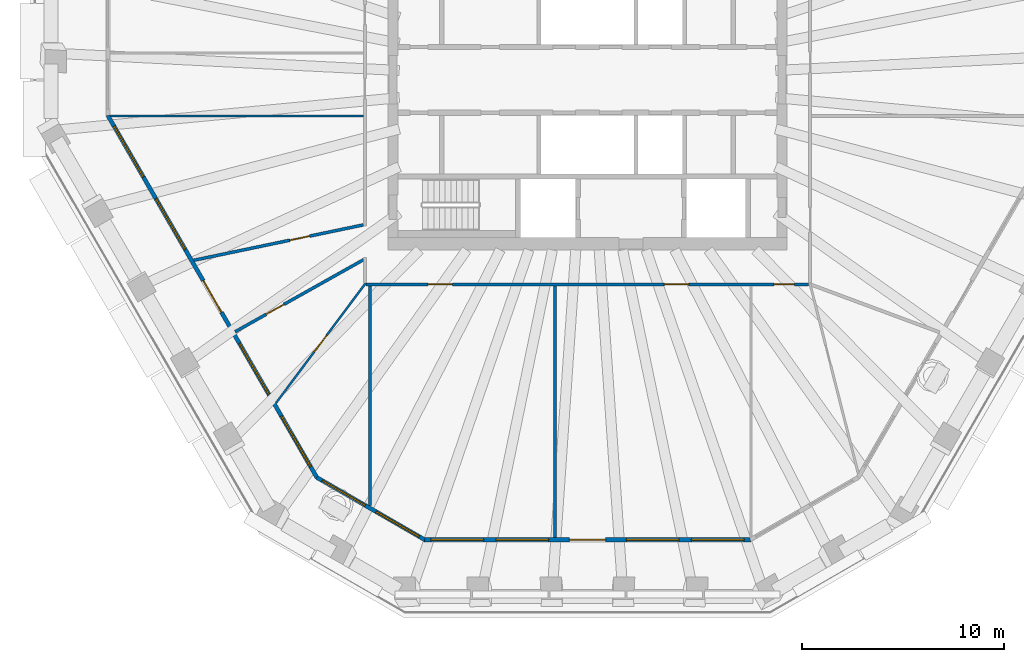
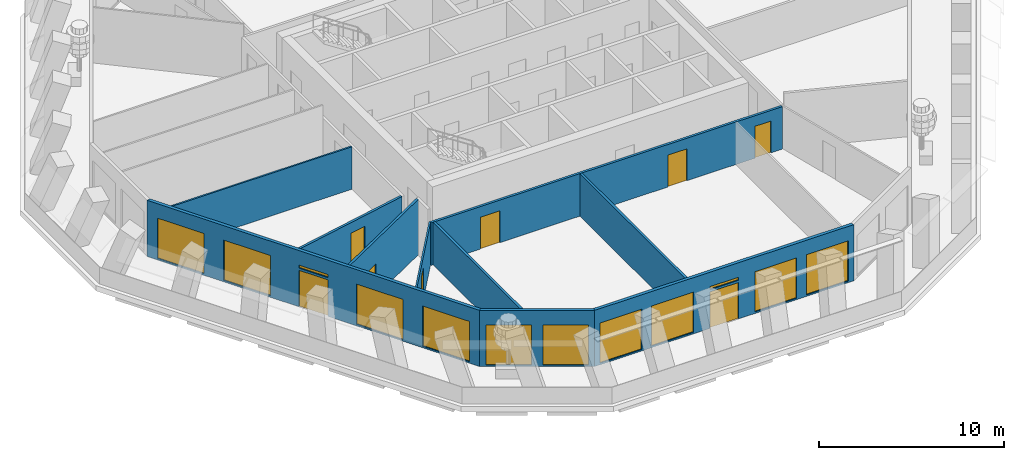
# One storey, part 3 of 12: 12 windows, 10 walls, 8 doors, 20 openings.
"""IFC4 building model written with IfcOpenShell, lengths in metres."""

from ifc_helpers import new_model, si_unit, direction, frame, frame_2d, origin, place, context, subcontext, project, spatial, polyline, rectangle, outline, extrude, material, layer, layer_set, type_object, element, fill, save


model = new_model("IFC4")

# Units and contexts
model_context = context("Model", 3, precision=1e-05, world=origin(), true_north=direction((0.0, 1.0)))
body_context = subcontext(model_context, "Body", "Model", "MODEL_VIEW")
ifc_project = project(units=[si_unit("LENGTHUNIT", "METRE"), si_unit("AREAUNIT", "SQUARE_METRE"), si_unit("VOLUMEUNIT", "CUBIC_METRE"), si_unit("PLANEANGLEUNIT", "RADIAN"), si_unit("MASSUNIT", "GRAM", prefix="KILO")], contexts=[model_context])

# Site, building, storey
site_placement = place(None, origin())
site = spatial("IfcSite", under=ifc_project, at=site_placement, CompositionType="ELEMENT")
building_placement = place(site_placement, origin())
building = spatial("IfcBuilding", under=site, at=building_placement, Name="Frailejon Research Tower", CompositionType="ELEMENT")
storey_placement = place(building_placement, frame((0.0, 0.0, 253.39990234375)))
storey = spatial("IfcBuildingStorey", under=building, at=storey_placement, Name="L55", CompositionType="ELEMENT", Elevation=253.39990234375)

# Wall, opening, door
ifc_material_1 = material(Name="Gypsum board and masonry partition", Category="masonry")
ifc_layer_1 = layer(ifc_material_1, 0.14990234375)
ifc_layer_set_1 = layer_set([ifc_layer_1], Name="Corridor wall EI 60, gypsum on steel studs 150")
wall_type_1 = type_object("IfcWallType", Name="Corridor wall EI 60, gypsum on steel studs 150", PredefinedType="PARTITIONING", material=ifc_layer_set_1)
wall_1_placement = place(storey_placement, frame((-19.44873046875, -8.91357421875, 0.0), z_axis=(0.0, 0.0, 1.0), x_axis=(0.978899865728, 0.204340531657, 0.0)))
wall_1 = element("IfcWall", 1, at=wall_1_placement, inside=storey, type_object=wall_type_1, Name="T:IW:L55:003", PredefinedType="PARTITIONING", context=body_context, shape_type="SweptSolid", body=[
    extrude(rectangle(XDim=8.5556640625, YDim=0.14990234375, at=frame_2d((4.27783203125, 0.0))), origin(), (0.0, 0.0, 1.0), 2.800048828125),
])
opening_1_placement = place(wall_1_placement, frame((4.85498046875, 0.0, 0.0)))
opening_1 = element("IfcOpeningElement", 2, at=opening_1_placement, cuts=wall_1, Name="Opening D2083", PredefinedType="OPENING", context=body_context, shape_type="SweptSolid", body=[
    extrude(rectangle(XDim=1.0, YDim=2.10009765625, at=frame_2d((0.5, 1.050048828125))), frame((0.0, 0.0849609375, 0.0), z_axis=(0.0, -1.0, 0.0), x_axis=(1.0, 0.0, 0.0)), (0.0, 0.0, 1.0), 0.169921875),
])
ifc_material_2 = material(Name="Timber door leaf", Category="wood")
door_type_1 = type_object("IfcDoorType", Name="Door single leaf, timber, steel frame 1000", OperationType="NOTDEFINED", PredefinedType="DOOR", material=ifc_material_2)
door_1_placement = place(opening_1_placement, origin())
door_1 = element("IfcDoor", 3, at=door_1_placement, inside=storey, type_object=door_type_1, Name="D2083", OperationType="SINGLE_SWING_RIGHT", OverallHeight=2.10009765625, OverallWidth=1.0, PredefinedType="DOOR", context=body_context, shape_type="SweptSolid", body=[
    extrude(rectangle(XDim=1.0, YDim=2.10009765625, at=frame_2d((0.5, 1.050048828125))), frame((0.0, 0.02490234375, 0.0), z_axis=(0.0, -1.0, 0.0), x_axis=(1.0, 0.0, 0.0)), (0.0, 0.0, 1.0), 0.050048828125),
])
fill(opening_1, door_1)

wall_2_placement = place(storey_placement, frame((-17.40966796875, -12.445556640625, 0.0), z_axis=(0.0, 0.0, 1.0), x_axis=(0.872150376128, 0.489237898592, 0.0)))
wall_2 = element("IfcWall", 4, at=wall_2_placement, inside=storey, type_object=wall_type_1, Name="T:IW:L55:004", PredefinedType="PARTITIONING", context=body_context, shape_type="SweptSolid", body=[
    extrude(rectangle(XDim=7.274169921875, YDim=0.14990234375, at=frame_2d((3.63720703125, 0.0))), origin(), (0.0, 0.0, 1.0), 3.650146484375),
])
opening_2_placement = place(wall_2_placement, frame((1.76220703125, 0.0, 0.0)))
opening_2 = element("IfcOpeningElement", 5, at=opening_2_placement, cuts=wall_2, Name="Opening D2084", PredefinedType="OPENING", context=body_context, shape_type="SweptSolid", body=[
    extrude(rectangle(XDim=1.0, YDim=2.10009765625, at=frame_2d((0.5, 1.050048828125))), frame((0.0, 0.0849609375, 0.0), z_axis=(0.0, -1.0, 0.0), x_axis=(1.0, 0.0, 0.0)), (0.0, 0.0, 1.0), 0.169921875),
])
door_2_placement = place(opening_2_placement, origin())
door_2 = element("IfcDoor", 6, at=door_2_placement, inside=storey, type_object=door_type_1, Name="D2084", OperationType="SINGLE_SWING_LEFT", OverallHeight=2.10009765625, OverallWidth=1.0, PredefinedType="DOOR", context=body_context, shape_type="SweptSolid", body=[
    extrude(rectangle(XDim=1.0, YDim=2.10009765625, at=frame_2d((0.5, 1.050048828125))), frame((0.0, 0.02490234375, 0.0), z_axis=(0.0, -1.0, 0.0), x_axis=(1.0, 0.0, 0.0)), (0.0, 0.0, 1.0), 0.050048828125),
])
fill(opening_2, door_2)

# Wall, openings, doors
wall_3_placement = place(storey_placement, frame((-10.949951171875, -10.10009765625, 0.0), z_axis=(0.0, 0.0, 1.0), x_axis=(1.0, 0.0, 0.0)))
wall_3 = element("IfcWall", 7, at=wall_3_placement, inside=storey, type_object=wall_type_1, Name="T:IW:L55:010", PredefinedType="PARTITIONING", context=body_context, shape_type="SweptSolid", body=[
    extrude(rectangle(XDim=21.875, YDim=0.14990234375, at=frame_2d((10.9375, 0.0))), origin(), (0.0, 0.0, 1.0), 2.800048828125),
])
opening_3_placement = place(wall_3_placement, frame((3.079345703125, 0.0, 0.0)))
opening_3 = element("IfcOpeningElement", 8, at=opening_3_placement, cuts=wall_3, Name="Opening D2086", PredefinedType="OPENING", context=body_context, shape_type="SweptSolid", body=[
    extrude(rectangle(XDim=1.199951171875, YDim=2.10009765625, at=frame_2d((0.60009765625, 1.050048828125))), frame((0.0, 0.0849609375, 0.0), z_axis=(0.0, -1.0, 0.0), x_axis=(1.0, 0.0, 0.0)), (0.0, 0.0, 1.0), 0.169921875),
])
opening_4_placement = place(wall_3_placement, frame((14.744140625, 0.0, 0.0)))
opening_4 = element("IfcOpeningElement", 9, at=opening_4_placement, cuts=wall_3, Name="Opening D2087", PredefinedType="OPENING", context=body_context, shape_type="SweptSolid", body=[
    extrude(rectangle(XDim=1.199951171875, YDim=2.10009765625, at=frame_2d((0.60009765625, 1.050048828125))), frame((0.0, 0.0849609375, 0.0), z_axis=(0.0, -1.0, 0.0), x_axis=(1.0, 0.0, 0.0)), (0.0, 0.0, 1.0), 0.169921875),
])
opening_5_placement = place(wall_3_placement, frame((20.168701171875, 0.0, 0.0)))
opening_5 = element("IfcOpeningElement", 10, at=opening_5_placement, cuts=wall_3, Name="Opening D2088", PredefinedType="OPENING", context=body_context, shape_type="SweptSolid", body=[
    extrude(rectangle(XDim=1.0, YDim=2.10009765625, at=frame_2d((0.5, 1.050048828125))), frame((0.0, 0.0849609375, 0.0), z_axis=(0.0, -1.0, 0.0), x_axis=(1.0, 0.0, 0.0)), (0.0, 0.0, 1.0), 0.169921875),
])
ifc_material_3 = material(Name="Timber door leaf", Category="wood")
door_type_2 = type_object("IfcDoorType", Name="Door laboratory, timber, vision panel 1200", OperationType="NOTDEFINED", PredefinedType="DOOR", material=ifc_material_3)
door_3_placement = place(opening_3_placement, origin())
door_3 = element("IfcDoor", 11, at=door_3_placement, inside=storey, type_object=door_type_2, Name="D2086", OperationType="DOUBLE_DOOR_SINGLE_SWING", OverallHeight=2.10009765625, OverallWidth=1.199951171875, PredefinedType="DOOR", context=body_context, shape_type="SweptSolid", body=[
    extrude(rectangle(XDim=1.199951171875, YDim=2.10009765625, at=frame_2d((0.60009765625, 1.050048828125))), frame((0.0, 0.02490234375, 0.0), z_axis=(0.0, -1.0, 0.0), x_axis=(1.0, 0.0, 0.0)), (0.0, 0.0, 1.0), 0.050048828125),
])
fill(opening_3, door_3)
door_4_placement = place(opening_5_placement, origin())
door_4 = element("IfcDoor", 12, at=door_4_placement, inside=storey, type_object=door_type_1, Name="D2088", OperationType="SINGLE_SWING_LEFT", OverallHeight=2.10009765625, OverallWidth=1.0, PredefinedType="DOOR", context=body_context, shape_type="SweptSolid", body=[
    extrude(rectangle(XDim=1.0, YDim=2.10009765625, at=frame_2d((0.5, 1.050048828125))), frame((0.0, 0.02490234375, 0.0), z_axis=(0.0, -1.0, 0.0), x_axis=(1.0, 0.0, 0.0)), (0.0, 0.0, 1.0), 0.050048828125),
])
fill(opening_5, door_4)
ifc_material_4 = material(Name="Timber door leaf", Category="wood")
door_type_3 = type_object("IfcDoorType", Name="Door single leaf, timber, steel frame 1200", OperationType="NOTDEFINED", PredefinedType="DOOR", material=ifc_material_4)
door_5_placement = place(opening_4_placement, origin())
door_5 = element("IfcDoor", 13, at=door_5_placement, inside=storey, type_object=door_type_3, Name="D2087", OperationType="DOUBLE_DOOR_SINGLE_SWING", OverallHeight=2.10009765625, OverallWidth=1.199951171875, PredefinedType="DOOR", context=body_context, shape_type="SweptSolid", body=[
    extrude(rectangle(XDim=1.199951171875, YDim=2.10009765625, at=frame_2d((0.60009765625, 1.050048828125))), frame((0.0, 0.02490234375, 0.0), z_axis=(0.0, -1.0, 0.0), x_axis=(1.0, 0.0, 0.0)), (0.0, 0.0, 1.0), 0.050048828125),
])
fill(opening_4, door_5)

# Walls
ifc_material_5 = material(Name="Gypsum board and masonry partition", Category="masonry")
ifc_layer_2 = layer(ifc_material_5, 0.14990234375)
ifc_layer_set_2 = layer_set([ifc_layer_2], Name="Laboratory partition, blockwork 150")
wall_type_2 = type_object("IfcWallType", Name="Laboratory partition, blockwork 150", PredefinedType="PARTITIONING", material=ifc_layer_set_2)
wall_4_placement = place(storey_placement, frame((-10.755126953125, -21.037353515625, 0.0), z_axis=(0.0, 0.0, 1.0), x_axis=(0.0, 1.0, 0.0)))
element("IfcWall", 14, at=wall_4_placement, inside=storey, type_object=wall_type_2, Name="T:IW:L55:014", PredefinedType="PARTITIONING", context=body_context, shape_type="SweptSolid", body=[
    extrude(rectangle(XDim=10.8623046875, YDim=0.14990234375, at=frame_2d((5.43115234375, 0.0))), origin(), (0.0, 0.0, 1.0), 2.800048828125),
])
wall_5_placement = place(storey_placement, frame((-1.613525390625, -22.619873046875, 0.0), z_axis=(0.0, 0.0, 1.0), x_axis=(0.0, 1.0, 0.0)))
element("IfcWall", 15, at=wall_5_placement, inside=storey, type_object=wall_type_2, Name="T:IW:L55:015", PredefinedType="PARTITIONING", context=body_context, shape_type="SweptSolid", body=[
    extrude(rectangle(XDim=12.44482421875, YDim=0.14990234375, at=frame_2d((6.222412109375, 0.0))), origin(), (0.0, 0.0, 1.0), 2.800048828125),
])
ifc_material_6 = material(Name="Gypsum board and masonry partition", Category="masonry")
ifc_layer_3 = layer(ifc_material_6, 0.10009765625)
ifc_layer_set_3 = layer_set([ifc_layer_3], Name="Partition, gypsum on steel studs 100")
wall_type_3 = type_object("IfcWallType", Name="Partition, gypsum on steel studs 100", PredefinedType="PARTITIONING", material=ifc_layer_set_3)
wall_6_placement = place(storey_placement, frame((-23.5654296875, -1.783447265625, 0.0), z_axis=(0.0, 0.0, 1.0), x_axis=(1.0, 0.0, 0.0)))
element("IfcWall", 16, at=wall_6_placement, inside=storey, type_object=wall_type_3, Name="T:IW:L55:025", PredefinedType="PARTITIONING", context=body_context, shape_type="SweptSolid", body=[
    extrude(rectangle(XDim=12.490478515625, YDim=0.10009765625, at=frame_2d((6.2451171875, 0.0))), origin(), (0.0, 0.0, 1.0), 2.800048828125),
])

# Wall, opening, door
wall_7_placement = place(storey_placement, frame((-15.383056640625, -15.955810546875, 0.0), z_axis=(0.0, 0.0, 1.0), x_axis=(0.599233213561, 0.800574516061, 0.0)))
wall_7 = element("IfcWall", 17, at=wall_7_placement, inside=storey, type_object=wall_type_3, Name="T:IW:L55:026", PredefinedType="PARTITIONING", context=body_context, shape_type="SweptSolid", body=[
    extrude(rectangle(XDim=7.389404296875, YDim=0.10009765625, at=frame_2d((3.69482421875, 0.0))), origin(), (0.0, 0.0, 1.0), 2.800048828125),
])
opening_6_placement = place(wall_7_placement, frame((3.1572265625, 0.0, 0.0)))
opening_6 = element("IfcOpeningElement", 18, at=opening_6_placement, cuts=wall_7, Name="Opening D2085", PredefinedType="OPENING", context=body_context, shape_type="SweptSolid", body=[
    extrude(rectangle(XDim=1.0, YDim=2.10009765625, at=frame_2d((0.5, 1.050048828125))), frame((0.0, 0.06005859375, 0.0), z_axis=(0.0, -1.0, 0.0), x_axis=(1.0, 0.0, 0.0)), (0.0, 0.0, 1.0), 0.1201171875),
])
door_6_placement = place(opening_6_placement, origin())
door_6 = element("IfcDoor", 19, at=door_6_placement, inside=storey, type_object=door_type_1, Name="D2085", OperationType="SINGLE_SWING_RIGHT", OverallHeight=2.10009765625, OverallWidth=1.0, PredefinedType="DOOR", context=body_context, shape_type="SweptSolid", body=[
    extrude(rectangle(XDim=1.0, YDim=2.10009765625, at=frame_2d((0.5, 1.050048828125))), frame((0.0, 0.02490234375, 0.0), z_axis=(0.0, -1.0, 0.0), x_axis=(1.0, 0.0, 0.0)), (0.0, 0.0, 1.0), 0.050048828125),
])
fill(opening_6, door_6)

# Wall, openings, door, windows
ifc_material_7 = material(Name="Concrete C40/50 precast window wall panel", Category="concrete")
ifc_layer_4 = layer(ifc_material_7, 0.199951171875)
ifc_layer_set_4 = layer_set([ifc_layer_4], Name="Window wall 200")
wall_type_4 = type_object("IfcWallType", Name="Window wall 200", PredefinedType="SOLIDWALL", material=ifc_layer_set_4)
wall_8_placement = place(storey_placement, frame((-23.6962890625, -1.756591796875, 0.0), z_axis=(0.0, 0.0, 1.0), x_axis=(0.500000087574, -0.866025353224, 0.0)))
wall_8 = element("IfcWall", 20, at=wall_8_placement, inside=storey, type_object=wall_type_4, Name="Exterior wall L55", PredefinedType="SOLIDWALL", context=body_context, shape_type="SweptSolid", body=[
    extrude(outline(polyline([(-0.02685546875, -0.10009765625), (1.008544921875, -0.10009765625), (2.0439453125, -0.10009765625), (3.079345703125, -0.10009765625), (4.11474609375, -0.10009765625), (5.14990234375, -0.10009765625), (6.185302734375, -0.10009765625), (7.220703125, -0.10009765625), (8.256103515625, -0.10009765625), (9.29150390625, -0.10009765625), (10.326904296875, -0.10009765625), (11.3623046875, -0.10009765625), (12.397705078125, -0.10009765625), (13.43310546875, -0.10009765625), (14.468505859375, -0.10009765625), (15.50390625, -0.10009765625), (16.5390625, -0.10009765625), (17.574462890625, -0.10009765625), (18.60986328125, -0.10009765625), (19.645263671875, -0.10009765625), (20.6806640625, -0.10009765625), (20.626953125, 0.10009765625), (19.596923828125, 0.10009765625), (18.56689453125, 0.10009765625), (17.536865234375, 0.10009765625), (16.5068359375, 0.10009765625), (15.47705078125, 0.10009765625), (14.447021484375, 0.10009765625), (13.4169921875, 0.10009765625), (12.386962890625, 0.10009765625), (11.35693359375, 0.10009765625), (10.326904296875, 0.10009765625), (9.296875, 0.10009765625), (8.266845703125, 0.10009765625), (7.23681640625, 0.10009765625), (6.206787109375, 0.10009765625), (5.1767578125, 0.10009765625), (4.14697265625, 0.10009765625), (3.116943359375, 0.10009765625), (2.0869140625, 0.10009765625), (1.056884765625, 0.10009765625), (0.02685546875, 0.10009765625), (-0.02685546875, -0.10009765625)])), origin(), (0.0, 0.0, 1.0), 3.7001953125),
])
opening_7_placement = place(wall_8_placement, frame((0.615478515625, 0.0, 0.10009765625)))
opening_7 = element("IfcOpeningElement", 21, at=opening_7_placement, cuts=wall_8, Name="Opening W20", PredefinedType="OPENING", context=body_context, shape_type="SweptSolid", body=[
    extrude(rectangle(XDim=2.89990234375, YDim=2.64990234375, at=frame_2d((1.449951171875, 1.324951171875))), frame((0.0, 0.10986328125, 0.0), z_axis=(0.0, -1.0, 0.0), x_axis=(1.0, 0.0, 0.0)), (0.0, 0.0, 1.0), 0.219970703125),
])
opening_8_placement = place(wall_8_placement, frame((4.74609375, 0.0, 0.10009765625)))
opening_8 = element("IfcOpeningElement", 22, at=opening_8_placement, cuts=wall_8, Name="Opening W20", PredefinedType="OPENING", context=body_context, shape_type="SweptSolid", body=[
    extrude(rectangle(XDim=2.89990234375, YDim=2.64990234375, at=frame_2d((1.449951171875, 1.324951171875))), frame((0.0, 0.10986328125, 0.0), z_axis=(0.0, -1.0, 0.0), x_axis=(1.0, 0.0, 0.0)), (0.0, 0.0, 1.0), 0.219970703125),
])
opening_9_placement = place(wall_8_placement, frame((9.427001953125, 0.0, 0.0)))
opening_9 = element("IfcOpeningElement", 23, at=opening_9_placement, cuts=wall_8, Name="Opening LG55-4", PredefinedType="OPENING", context=body_context, shape_type="SweptSolid", body=[
    extrude(rectangle(XDim=1.800048828125, YDim=2.39990234375, at=frame_2d((0.89990234375, 1.199951171875))), frame((0.0, 0.10986328125, 0.0), z_axis=(0.0, -1.0, 0.0), x_axis=(1.0, 0.0, 0.0)), (0.0, 0.0, 1.0), 0.219970703125),
])
opening_10_placement = place(wall_8_placement, frame((9.427001953125, 0.0, 2.550048828125)))
opening_10 = element("IfcOpeningElement", 24, at=opening_10_placement, cuts=wall_8, Name="Opening W19", PredefinedType="OPENING", context=body_context, shape_type="SweptSolid", body=[
    extrude(rectangle(XDim=1.800048828125, YDim=0.199951171875, at=frame_2d((0.89990234375, 0.10009765625))), frame((0.0, 0.10986328125, 0.0), z_axis=(0.0, -1.0, 0.0), x_axis=(1.0, 0.0, 0.0)), (0.0, 0.0, 1.0), 0.219970703125),
])
opening_11_placement = place(wall_8_placement, frame((13.0078125, 0.0, 0.10009765625)))
opening_11 = element("IfcOpeningElement", 25, at=opening_11_placement, cuts=wall_8, Name="Opening W20", PredefinedType="OPENING", context=body_context, shape_type="SweptSolid", body=[
    extrude(rectangle(XDim=2.89990234375, YDim=2.64990234375, at=frame_2d((1.449951171875, 1.324951171875))), frame((0.0, 0.10986328125, 0.0), z_axis=(0.0, -1.0, 0.0), x_axis=(1.0, 0.0, 0.0)), (0.0, 0.0, 1.0), 0.219970703125),
])
opening_12_placement = place(wall_8_placement, frame((17.138671875, 0.0, 0.10009765625)))
opening_12 = element("IfcOpeningElement", 26, at=opening_12_placement, cuts=wall_8, Name="Opening W20", PredefinedType="OPENING", context=body_context, shape_type="SweptSolid", body=[
    extrude(rectangle(XDim=2.89990234375, YDim=2.64990234375, at=frame_2d((1.449951171875, 1.324951171875))), frame((0.0, 0.10986328125, 0.0), z_axis=(0.0, -1.0, 0.0), x_axis=(1.0, 0.0, 0.0)), (0.0, 0.0, 1.0), 0.219970703125),
])
ifc_material_8 = material(Name="Aluminium framed glazed door leaf", Category="aluminium")
door_type_4 = type_object("IfcDoorType", Name="Loggia door 1800x2400", OperationType="DOUBLE_DOOR_SINGLE_SWING", PredefinedType="DOOR", material=ifc_material_8)
door_7_placement = place(opening_9_placement, origin())
door_7 = element("IfcDoor", 27, at=door_7_placement, inside=storey, type_object=door_type_4, Name="Door LG55-4", OperationType="DOUBLE_DOOR_SINGLE_SWING", OverallHeight=2.39990234375, OverallWidth=1.800048828125, PredefinedType="DOOR", context=body_context, shape_type="SweptSolid", body=[
    extrude(rectangle(XDim=1.800048828125, YDim=2.39990234375, at=frame_2d((0.89990234375, 1.199951171875))), frame((0.0, 0.02490234375, 0.0), z_axis=(0.0, -1.0, 0.0), x_axis=(1.0, 0.0, 0.0)), (0.0, 0.0, 1.0), 0.050048828125),
])
fill(opening_9, door_7)
ifc_material_9 = material(Name="Aluminium framed double glazing", Category="aluminium")
window_type_1 = type_object("IfcWindowType", Name="Window 1800x200", PartitioningType="SINGLE_PANEL", PredefinedType="WINDOW", material=ifc_material_9)
window_1_placement = place(opening_10_placement, origin())
window_1 = element("IfcWindow", 28, at=window_1_placement, inside=storey, type_object=window_type_1, Name="Window L55", OverallHeight=0.199951171875, OverallWidth=1.800048828125, PartitioningType="SINGLE_PANEL", PredefinedType="WINDOW", context=body_context, shape_type="SweptSolid", body=[
    extrude(rectangle(XDim=1.800048828125, YDim=0.199951171875, at=frame_2d((0.89990234375, 0.10009765625))), frame((0.0, 0.030029296875, 0.0), z_axis=(0.0, -1.0, 0.0), x_axis=(1.0, 0.0, 0.0)), (0.0, 0.0, 1.0), 0.06005859375),
])
fill(opening_10, window_1)
ifc_material_10 = material(Name="Aluminium framed double glazing", Category="aluminium")
window_type_2 = type_object("IfcWindowType", Name="Window 2900x2650", PartitioningType="SINGLE_PANEL", PredefinedType="WINDOW", material=ifc_material_10)
window_2_placement = place(opening_7_placement, origin())
window_2 = element("IfcWindow", 29, at=window_2_placement, inside=storey, type_object=window_type_2, Name="Window L55", OverallHeight=2.64990234375, OverallWidth=2.89990234375, PartitioningType="SINGLE_PANEL", PredefinedType="WINDOW", context=body_context, shape_type="SweptSolid", body=[
    extrude(rectangle(XDim=2.89990234375, YDim=2.64990234375, at=frame_2d((1.449951171875, 1.324951171875))), frame((0.0, 0.030029296875, 0.0), z_axis=(0.0, -1.0, 0.0), x_axis=(1.0, 0.0, 0.0)), (0.0, 0.0, 1.0), 0.06005859375),
])
fill(opening_7, window_2)
window_3_placement = place(opening_8_placement, origin())
window_3 = element("IfcWindow", 30, at=window_3_placement, inside=storey, type_object=window_type_2, Name="Window L55", OverallHeight=2.64990234375, OverallWidth=2.89990234375, PartitioningType="SINGLE_PANEL", PredefinedType="WINDOW", context=body_context, shape_type="SweptSolid", body=[
    extrude(rectangle(XDim=2.89990234375, YDim=2.64990234375, at=frame_2d((1.449951171875, 1.324951171875))), frame((0.0, 0.030029296875, 0.0), z_axis=(0.0, -1.0, 0.0), x_axis=(1.0, 0.0, 0.0)), (0.0, 0.0, 1.0), 0.06005859375),
])
fill(opening_8, window_3)
window_4_placement = place(opening_11_placement, origin())
window_4 = element("IfcWindow", 31, at=window_4_placement, inside=storey, type_object=window_type_2, Name="Window L55", OverallHeight=2.64990234375, OverallWidth=2.89990234375, PartitioningType="SINGLE_PANEL", PredefinedType="WINDOW", context=body_context, shape_type="SweptSolid", body=[
    extrude(rectangle(XDim=2.89990234375, YDim=2.64990234375, at=frame_2d((1.449951171875, 1.324951171875))), frame((0.0, 0.030029296875, 0.0), z_axis=(0.0, -1.0, 0.0), x_axis=(1.0, 0.0, 0.0)), (0.0, 0.0, 1.0), 0.06005859375),
])
fill(opening_11, window_4)
window_5_placement = place(opening_12_placement, origin())
window_5 = element("IfcWindow", 32, at=window_5_placement, inside=storey, type_object=window_type_2, Name="Window L55", OverallHeight=2.64990234375, OverallWidth=2.89990234375, PartitioningType="SINGLE_PANEL", PredefinedType="WINDOW", context=body_context, shape_type="SweptSolid", body=[
    extrude(rectangle(XDim=2.89990234375, YDim=2.64990234375, at=frame_2d((1.449951171875, 1.324951171875))), frame((0.0, 0.030029296875, 0.0), z_axis=(0.0, -1.0, 0.0), x_axis=(1.0, 0.0, 0.0)), (0.0, 0.0, 1.0), 0.06005859375),
])
fill(opening_12, window_5)

# Wall, openings, windows
wall_9_placement = place(storey_placement, frame((-13.369384765625, -19.643310546875, 0.0), z_axis=(0.0, 0.0, 1.0), x_axis=(0.866002544807, -0.50003959082, 0.0)))
wall_9 = element("IfcWall", 33, at=wall_9_placement, inside=storey, type_object=wall_type_4, Name="Exterior wall L55", PredefinedType="SOLIDWALL", context=body_context, shape_type="SweptSolid", body=[
    extrude(outline(polyline([(-0.02685546875, -0.10009765625), (1.007568359375, -0.10009765625), (2.0419921875, -0.10009765625), (3.076416015625, -0.10009765625), (4.11083984375, -0.10009765625), (5.145263671875, -0.10009765625), (6.1796875, -0.10009765625), (6.1259765625, 0.10009765625), (5.109375, 0.10009765625), (4.093017578125, 0.10009765625), (3.076416015625, 0.10009765625), (2.059814453125, 0.10009765625), (1.04345703125, 0.10009765625), (0.02685546875, 0.10009765625), (-0.02685546875, -0.10009765625)])), origin(), (0.0, 0.0, 1.0), 3.7001953125),
])
opening_13_placement = place(wall_9_placement, frame((0.313232421875, 0.0, 0.10009765625)))
opening_13 = element("IfcOpeningElement", 34, at=opening_13_placement, cuts=wall_9, Name="Opening W17", PredefinedType="OPENING", context=body_context, shape_type="SweptSolid", body=[
    extrude(rectangle(XDim=2.449951171875, YDim=2.64990234375, at=frame_2d((1.22509765625, 1.324951171875))), frame((0.0, 0.10986328125, 0.0), z_axis=(0.0, -1.0, 0.0), x_axis=(1.0, 0.0, 0.0)), (0.0, 0.0, 1.0), 0.219970703125),
])
opening_14_placement = place(wall_9_placement, frame((3.3896484375, 0.0, 0.10009765625)))
opening_14 = element("IfcOpeningElement", 35, at=opening_14_placement, cuts=wall_9, Name="Opening W17", PredefinedType="OPENING", context=body_context, shape_type="SweptSolid", body=[
    extrude(rectangle(XDim=2.449951171875, YDim=2.64990234375, at=frame_2d((1.22509765625, 1.324951171875))), frame((0.0, 0.10986328125, 0.0), z_axis=(0.0, -1.0, 0.0), x_axis=(1.0, 0.0, 0.0)), (0.0, 0.0, 1.0), 0.219970703125),
])
ifc_material_11 = material(Name="Aluminium framed double glazing", Category="aluminium")
window_type_3 = type_object("IfcWindowType", Name="Window 2450x2650", PartitioningType="SINGLE_PANEL", PredefinedType="WINDOW", material=ifc_material_11)
window_6_placement = place(opening_13_placement, origin())
window_6 = element("IfcWindow", 36, at=window_6_placement, inside=storey, type_object=window_type_3, Name="Window L55", OverallHeight=2.64990234375, OverallWidth=2.449951171875, PartitioningType="SINGLE_PANEL", PredefinedType="WINDOW", context=body_context, shape_type="SweptSolid", body=[
    extrude(rectangle(XDim=2.449951171875, YDim=2.64990234375, at=frame_2d((1.22509765625, 1.324951171875))), frame((0.0, 0.030029296875, 0.0), z_axis=(0.0, -1.0, 0.0), x_axis=(1.0, 0.0, 0.0)), (0.0, 0.0, 1.0), 0.06005859375),
])
fill(opening_13, window_6)
window_7_placement = place(opening_14_placement, origin())
window_7 = element("IfcWindow", 37, at=window_7_placement, inside=storey, type_object=window_type_3, Name="Window L55", OverallHeight=2.64990234375, OverallWidth=2.449951171875, PartitioningType="SINGLE_PANEL", PredefinedType="WINDOW", context=body_context, shape_type="SweptSolid", body=[
    extrude(rectangle(XDim=2.449951171875, YDim=2.64990234375, at=frame_2d((1.22509765625, 1.324951171875))), frame((0.0, 0.030029296875, 0.0), z_axis=(0.0, -1.0, 0.0), x_axis=(1.0, 0.0, 0.0)), (0.0, 0.0, 1.0), 0.06005859375),
])
fill(opening_14, window_7)

# Wall, openings, door, windows
wall_10_placement = place(storey_placement, frame((-8.041015625, -22.719970703125, 0.0), z_axis=(0.0, 0.0, 1.0), x_axis=(1.0, 0.0, 0.0)))
wall_10 = element("IfcWall", 38, at=wall_10_placement, inside=storey, type_object=wall_type_4, Name="Exterior wall L55", PredefinedType="SOLIDWALL", context=body_context, shape_type="SweptSolid", body=[
    extrude(outline(polyline([(-0.02685546875, -0.10009765625), (0.981689453125, -0.10009765625), (1.990234375, -0.10009765625), (2.99853515625, -0.10009765625), (4.007080078125, -0.10009765625), (5.015625, -0.10009765625), (6.02392578125, -0.10009765625), (7.032470703125, -0.10009765625), (8.041015625, -0.10009765625), (9.049560546875, -0.10009765625), (10.05810546875, -0.10009765625), (11.06640625, -0.10009765625), (12.074951171875, -0.10009765625), (13.08349609375, -0.10009765625), (14.091796875, -0.10009765625), (15.100341796875, -0.10009765625), (16.10888671875, -0.10009765625), (16.05517578125, 0.10009765625), (15.053466796875, 0.10009765625), (14.0517578125, 0.10009765625), (13.0498046875, 0.10009765625), (12.048095703125, 0.10009765625), (11.04638671875, 0.10009765625), (10.04443359375, 0.10009765625), (9.042724609375, 0.10009765625), (8.041015625, 0.10009765625), (7.039306640625, 0.10009765625), (6.03759765625, 0.10009765625), (5.03564453125, 0.10009765625), (4.033935546875, 0.10009765625), (3.0322265625, 0.10009765625), (2.0302734375, 0.10009765625), (1.028564453125, 0.10009765625), (0.02685546875, 0.10009765625), (-0.02685546875, -0.10009765625)])), origin(), (0.0, 0.0, 1.0), 3.7001953125),
])
opening_15_placement = place(wall_10_placement, frame((0.30810546875, 0.0, 0.10009765625)))
opening_15 = element("IfcOpeningElement", 39, at=opening_15_placement, cuts=wall_10, Name="Opening W18", PredefinedType="OPENING", context=body_context, shape_type="SweptSolid", body=[
    extrude(rectangle(XDim=2.60009765625, YDim=2.64990234375, at=frame_2d((1.300048828125, 1.324951171875))), frame((0.0, 0.10986328125, 0.0), z_axis=(0.0, -1.0, 0.0), x_axis=(1.0, 0.0, 0.0)), (0.0, 0.0, 1.0), 0.219970703125),
])
opening_16_placement = place(wall_10_placement, frame((3.5244140625, 0.0, 0.10009765625)))
opening_16 = element("IfcOpeningElement", 40, at=opening_16_placement, cuts=wall_10, Name="Opening W18", PredefinedType="OPENING", context=body_context, shape_type="SweptSolid", body=[
    extrude(rectangle(XDim=2.60009765625, YDim=2.64990234375, at=frame_2d((1.300048828125, 1.324951171875))), frame((0.0, 0.10986328125, 0.0), z_axis=(0.0, -1.0, 0.0), x_axis=(1.0, 0.0, 0.0)), (0.0, 0.0, 1.0), 0.219970703125),
])
opening_17_placement = place(wall_10_placement, frame((7.140869140625, 0.0, 0.0)))
opening_17 = element("IfcOpeningElement", 41, at=opening_17_placement, cuts=wall_10, Name="Opening LG55-5", PredefinedType="OPENING", context=body_context, shape_type="SweptSolid", body=[
    extrude(rectangle(XDim=1.800048828125, YDim=2.39990234375, at=frame_2d((0.89990234375, 1.199951171875))), frame((0.0, 0.10986328125, 0.0), z_axis=(0.0, -1.0, 0.0), x_axis=(1.0, 0.0, 0.0)), (0.0, 0.0, 1.0), 0.219970703125),
])
opening_18_placement = place(wall_10_placement, frame((7.140869140625, 0.0, 2.550048828125)))
opening_18 = element("IfcOpeningElement", 42, at=opening_18_placement, cuts=wall_10, Name="Opening W19", PredefinedType="OPENING", context=body_context, shape_type="SweptSolid", body=[
    extrude(rectangle(XDim=1.800048828125, YDim=0.199951171875, at=frame_2d((0.89990234375, 0.10009765625))), frame((0.0, 0.10986328125, 0.0), z_axis=(0.0, -1.0, 0.0), x_axis=(1.0, 0.0, 0.0)), (0.0, 0.0, 1.0), 0.219970703125),
])
opening_19_placement = place(wall_10_placement, frame((9.957275390625, 0.0, 0.10009765625)))
opening_19 = element("IfcOpeningElement", 43, at=opening_19_placement, cuts=wall_10, Name="Opening W18", PredefinedType="OPENING", context=body_context, shape_type="SweptSolid", body=[
    extrude(rectangle(XDim=2.60009765625, YDim=2.64990234375, at=frame_2d((1.300048828125, 1.324951171875))), frame((0.0, 0.10986328125, 0.0), z_axis=(0.0, -1.0, 0.0), x_axis=(1.0, 0.0, 0.0)), (0.0, 0.0, 1.0), 0.219970703125),
])
opening_20_placement = place(wall_10_placement, frame((13.173583984375, 0.0, 0.10009765625)))
opening_20 = element("IfcOpeningElement", 44, at=opening_20_placement, cuts=wall_10, Name="Opening W18", PredefinedType="OPENING", context=body_context, shape_type="SweptSolid", body=[
    extrude(rectangle(XDim=2.60009765625, YDim=2.64990234375, at=frame_2d((1.300048828125, 1.324951171875))), frame((0.0, 0.10986328125, 0.0), z_axis=(0.0, -1.0, 0.0), x_axis=(1.0, 0.0, 0.0)), (0.0, 0.0, 1.0), 0.219970703125),
])
door_8_placement = place(opening_17_placement, origin())
door_8 = element("IfcDoor", 45, at=door_8_placement, inside=storey, type_object=door_type_4, Name="Door LG55-5", OperationType="DOUBLE_DOOR_SINGLE_SWING", OverallHeight=2.39990234375, OverallWidth=1.800048828125, PredefinedType="DOOR", context=body_context, shape_type="SweptSolid", body=[
    extrude(rectangle(XDim=1.800048828125, YDim=2.39990234375, at=frame_2d((0.89990234375, 1.199951171875))), frame((0.0, 0.02490234375, 0.0), z_axis=(0.0, -1.0, 0.0), x_axis=(1.0, 0.0, 0.0)), (0.0, 0.0, 1.0), 0.050048828125),
])
fill(opening_17, door_8)
window_8_placement = place(opening_18_placement, origin())
window_8 = element("IfcWindow", 46, at=window_8_placement, inside=storey, type_object=window_type_1, Name="Window L55", OverallHeight=0.199951171875, OverallWidth=1.800048828125, PartitioningType="SINGLE_PANEL", PredefinedType="WINDOW", context=body_context, shape_type="SweptSolid", body=[
    extrude(rectangle(XDim=1.800048828125, YDim=0.199951171875, at=frame_2d((0.89990234375, 0.10009765625))), frame((0.0, 0.030029296875, 0.0), z_axis=(0.0, -1.0, 0.0), x_axis=(1.0, 0.0, 0.0)), (0.0, 0.0, 1.0), 0.06005859375),
])
fill(opening_18, window_8)
ifc_material_12 = material(Name="Aluminium framed double glazing", Category="aluminium")
window_type_4 = type_object("IfcWindowType", Name="Window 2600x2650", PartitioningType="SINGLE_PANEL", PredefinedType="WINDOW", material=ifc_material_12)
window_9_placement = place(opening_15_placement, origin())
window_9 = element("IfcWindow", 47, at=window_9_placement, inside=storey, type_object=window_type_4, Name="Window L55", OverallHeight=2.64990234375, OverallWidth=2.60009765625, PartitioningType="SINGLE_PANEL", PredefinedType="WINDOW", context=body_context, shape_type="SweptSolid", body=[
    extrude(rectangle(XDim=2.60009765625, YDim=2.64990234375, at=frame_2d((1.300048828125, 1.324951171875))), frame((0.0, 0.030029296875, 0.0), z_axis=(0.0, -1.0, 0.0), x_axis=(1.0, 0.0, 0.0)), (0.0, 0.0, 1.0), 0.06005859375),
])
fill(opening_15, window_9)
window_10_placement = place(opening_16_placement, origin())
window_10 = element("IfcWindow", 48, at=window_10_placement, inside=storey, type_object=window_type_4, Name="Window L55", OverallHeight=2.64990234375, OverallWidth=2.60009765625, PartitioningType="SINGLE_PANEL", PredefinedType="WINDOW", context=body_context, shape_type="SweptSolid", body=[
    extrude(rectangle(XDim=2.60009765625, YDim=2.64990234375, at=frame_2d((1.300048828125, 1.324951171875))), frame((0.0, 0.030029296875, 0.0), z_axis=(0.0, -1.0, 0.0), x_axis=(1.0, 0.0, 0.0)), (0.0, 0.0, 1.0), 0.06005859375),
])
fill(opening_16, window_10)
window_11_placement = place(opening_19_placement, origin())
window_11 = element("IfcWindow", 49, at=window_11_placement, inside=storey, type_object=window_type_4, Name="Window L55", OverallHeight=2.64990234375, OverallWidth=2.60009765625, PartitioningType="SINGLE_PANEL", PredefinedType="WINDOW", context=body_context, shape_type="SweptSolid", body=[
    extrude(rectangle(XDim=2.60009765625, YDim=2.64990234375, at=frame_2d((1.300048828125, 1.324951171875))), frame((0.0, 0.030029296875, 0.0), z_axis=(0.0, -1.0, 0.0), x_axis=(1.0, 0.0, 0.0)), (0.0, 0.0, 1.0), 0.06005859375),
])
fill(opening_19, window_11)
window_12_placement = place(opening_20_placement, origin())
window_12 = element("IfcWindow", 50, at=window_12_placement, inside=storey, type_object=window_type_4, Name="Window L55", OverallHeight=2.64990234375, OverallWidth=2.60009765625, PartitioningType="SINGLE_PANEL", PredefinedType="WINDOW", context=body_context, shape_type="SweptSolid", body=[
    extrude(rectangle(XDim=2.60009765625, YDim=2.64990234375, at=frame_2d((1.300048828125, 1.324951171875))), frame((0.0, 0.030029296875, 0.0), z_axis=(0.0, -1.0, 0.0), x_axis=(1.0, 0.0, 0.0)), (0.0, 0.0, 1.0), 0.06005859375),
])
fill(opening_20, window_12)

save(model, "model.ifc")
